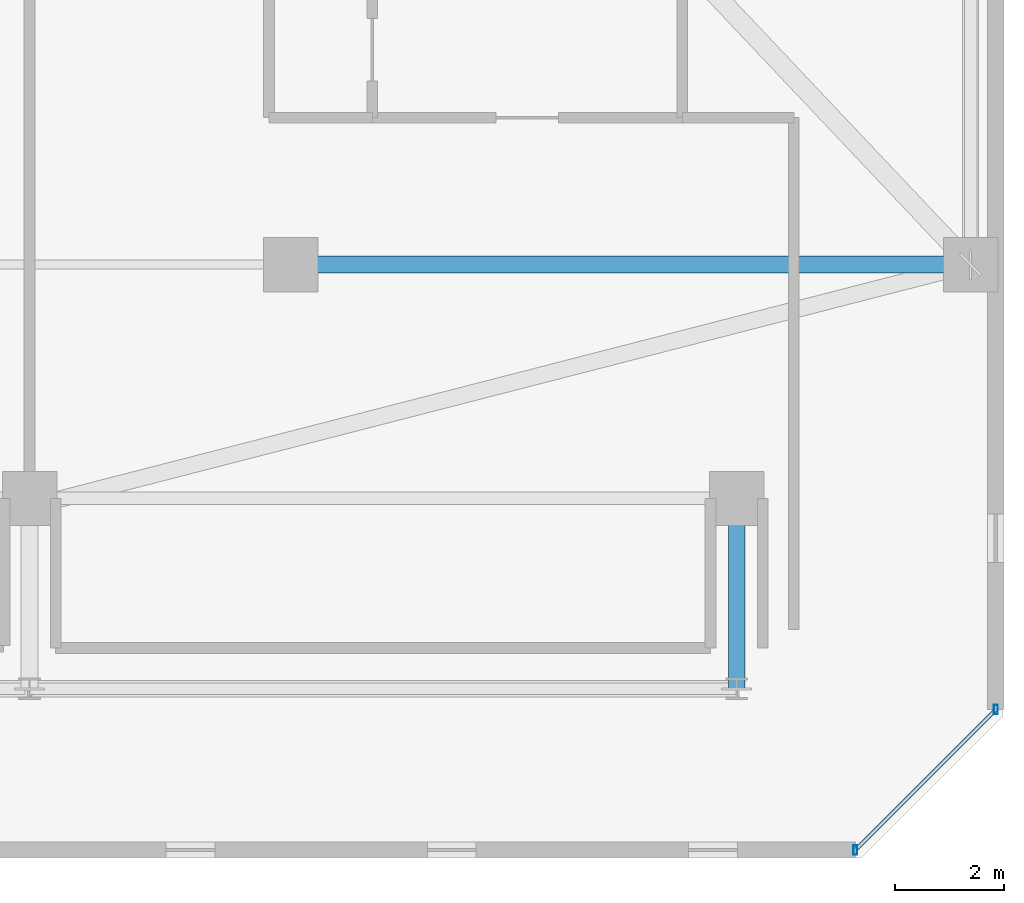
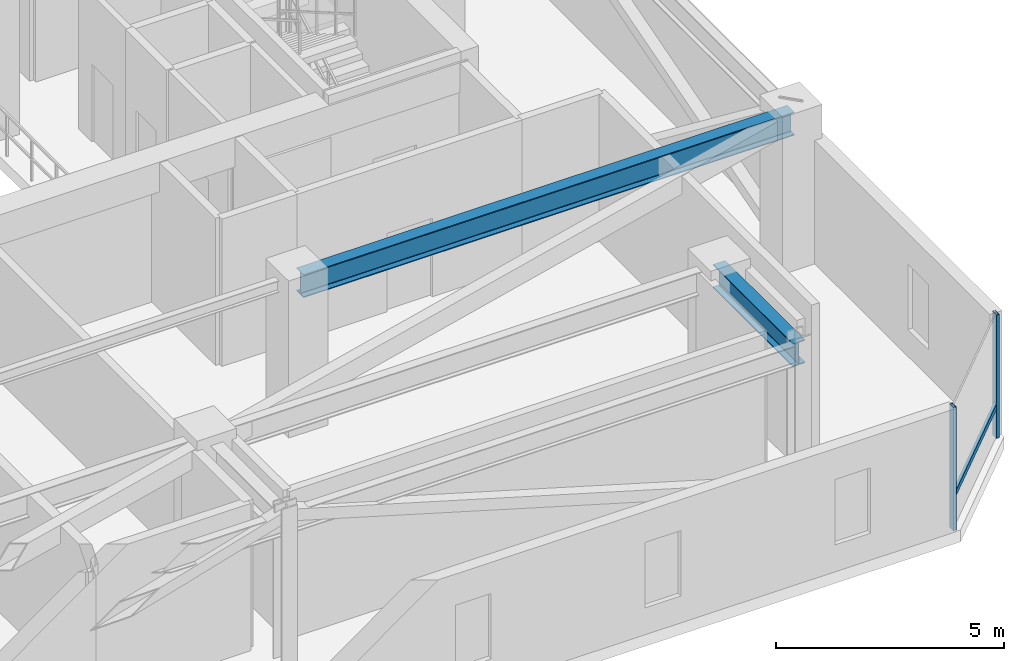
# One storey, part 22 of 42: 3 members, 2 beams, 1 element without a shape of its own.
"""IFC4 building model written with IfcOpenShell, lengths in metres."""

from ifc_helpers import new_model, si_unit, direction, frame, origin, origin_2d, place, context, subcontext, project, spatial, hollow_rectangle, i_section, extrude, material, material_profile, profile_set, type_object, element, aggregate, save


model = new_model("IFC4")

# Units and contexts
model_context = context("Model", 3, precision=1e-05, world=origin(), true_north=direction((0.0, 1.0)))
body_context = subcontext(model_context, "Body", "Model", "MODEL_VIEW")
ifc_project = project(units=[si_unit("LENGTHUNIT", "METRE"), si_unit("AREAUNIT", "SQUARE_METRE"), si_unit("VOLUMEUNIT", "CUBIC_METRE"), si_unit("PLANEANGLEUNIT", "RADIAN"), si_unit("MASSUNIT", "GRAM", prefix="KILO")], contexts=[model_context])

# Site, building, storey
site_placement = place(None, origin())
site = spatial("IfcSite", under=ifc_project, at=site_placement, CompositionType="ELEMENT")
building_placement = place(site_placement, origin())
building = spatial("IfcBuilding", under=site, at=building_placement, Name="Thornwick Lancets Civic Towers", CompositionType="ELEMENT")
storey_placement = place(building_placement, frame((0.0, 0.0, 221.699951171875)))
storey = spatial("IfcBuildingStorey", under=building, at=storey_placement, Name="L59", CompositionType="ELEMENT", Elevation=221.699951171875)

# Beams
ifc_material_1 = material(Name="Steel S355JR", Category="steel")
ifc_material_profile_1 = material_profile(ifc_material_1, i_section(OverallWidth=0.30712890625, OverallDepth=0.6201171875, WebThickness=0.01416015625, FlangeThickness=0.023681640625, FilletRadius=0.0166015625, at=origin_2d()), Name="UKB 610x305x179")
ifc_profile_set_1 = profile_set([ifc_material_profile_1], Name="Steel S355JR")
beam_type = type_object("IfcBeamType", Name="BM_GIRD_610_179", PredefinedType="BEAM", material=ifc_profile_set_1)
beam_1_placement = place(storey_placement, frame((93.3798828125, 14.0, 3.64990234375), z_axis=(1.0, 0.0, 0.0), x_axis=(0.0, 1.0, 0.0)))
element("IfcBeam", 1, at=beam_1_placement, inside=storey, type_object=beam_type, Name="BM-RADIN-L59-B01", PredefinedType="BEAM", context=body_context, shape_type="SweptSolid", body=[
    extrude(i_section(OverallWidth=0.30712890625, OverallDepth=0.6201171875, WebThickness=0.01416015625, FlangeThickness=0.023681640625, FilletRadius=0.0166015625, at=origin_2d()), origin(), (0.0, 0.0, 1.0), 12.420166015625),
])
beam_2_placement = place(storey_placement, frame((101.5, 9.699951171875, 3.64990234375), z_axis=(0.0, -1.0, 0.0), x_axis=(1.0, 0.0, 0.0)))
element("IfcBeam", 2, at=beam_2_placement, inside=storey, type_object=beam_type, Name="BM-RAD-L59-B10", PredefinedType="BEAM", context=body_context, shape_type="SweptSolid", body=[
    extrude(i_section(OverallWidth=0.30712890625, OverallDepth=0.6201171875, WebThickness=0.01416015625, FlangeThickness=0.023681640625, FilletRadius=0.0166015625, at=origin_2d()), origin(), (0.0, 0.0, 1.0), 3.5),
])

# Curtain wall, members
ifc_material_2 = material(Name="High-zone chamfered-corner unitised glass curtain wall", Category="glass")
curtain_wall_type = type_object("IfcCurtainWallType", Name="CW_SYS_05", PredefinedType="NOTDEFINED", material=ifc_material_2)
curtain_wall_placement = place(storey_placement, origin())
curtain_wall = element("IfcCurtainWall", 3, at=curtain_wall_placement, inside=storey, type_object=curtain_wall_type, Name="L59 Curtain Wall CW-L59-B-E1", PredefinedType="NOTDEFINED")
ifc_material_3 = material(Name="Thermally broken bronze aluminium S355", Category="steel")
ifc_material_profile_2 = material_profile(ifc_material_3, hollow_rectangle(XDim=0.074951171875, YDim=0.179931640625, WallThickness=0.006103515625, at=origin_2d()), Name="RHS 180x75x6")
ifc_profile_set_2 = profile_set([ifc_material_profile_2], Name="Thermally broken bronze aluminium S355")
member_type_1 = type_object("IfcMemberType", Name="CW_MUL_180", PredefinedType="MULLION", material=ifc_profile_set_2)
member_1_placement = place(storey_placement, frame((103.681396484375, 3.2353515625, 0.0), z_axis=(0.0, 0.0, 1.0), x_axis=(1.0, 0.0, 0.0)))
member_1 = element("IfcMember", 4, at=member_1_placement, type_object=member_type_1, Name="CW-L59-B-E1 Mullion 0", PredefinedType="MULLION", context=body_context, shape_type="SweptSolid", body=[
    extrude(hollow_rectangle(XDim=0.074951171875, YDim=0.179931640625, WallThickness=0.006103515625, at=origin_2d()), origin(), (0.0, 0.0, 1.0), 3.300048828125),
])
member_2_placement = place(storey_placement, frame((106.2646484375, 5.818603515625, 0.0), z_axis=(0.0, 0.0, 1.0), x_axis=(1.0, 0.0, 0.0)))
member_2 = element("IfcMember", 5, at=member_2_placement, type_object=member_type_1, Name="CW-L59-B-E1 Mullion 1", PredefinedType="MULLION", context=body_context, shape_type="SweptSolid", body=[
    extrude(hollow_rectangle(XDim=0.074951171875, YDim=0.179931640625, WallThickness=0.006103515625, at=origin_2d()), origin(), (0.0, 0.0, 1.0), 3.300048828125),
])
ifc_material_profile_3 = material_profile(ifc_material_3, hollow_rectangle(XDim=0.074951171875, YDim=0.14990234375, WallThickness=0.0048828125, at=origin_2d()), Name="RHS 150x75x5")
ifc_profile_set_3 = profile_set([ifc_material_profile_3], Name="Thermally broken bronze aluminium S355")
member_type_2 = type_object("IfcMemberType", Name="CW_TRN_150", PredefinedType="USERDEFINED", material=ifc_profile_set_3)
member_3_placement = place(storey_placement, frame((103.695556640625, 3.24951171875, 0.85009765625), z_axis=(0.707106781187, 0.707106781187, 0.0), x_axis=(-0.707106781187, 0.707106781187, 0.0)))
member_3 = element("IfcMember", 6, at=member_3_placement, type_object=member_type_2, Name="CW-L59-B-E1 Transom 0", ObjectType="TRANSOM", PredefinedType="USERDEFINED", context=body_context, shape_type="SweptSolid", body=[
    extrude(hollow_rectangle(XDim=0.074951171875, YDim=0.14990234375, WallThickness=0.0048828125, at=origin_2d()), origin(), (0.0, 0.0, 1.0), 3.61328125),
])
aggregate(curtain_wall, [member_1, member_2, member_3])

save(model, "model.ifc")
